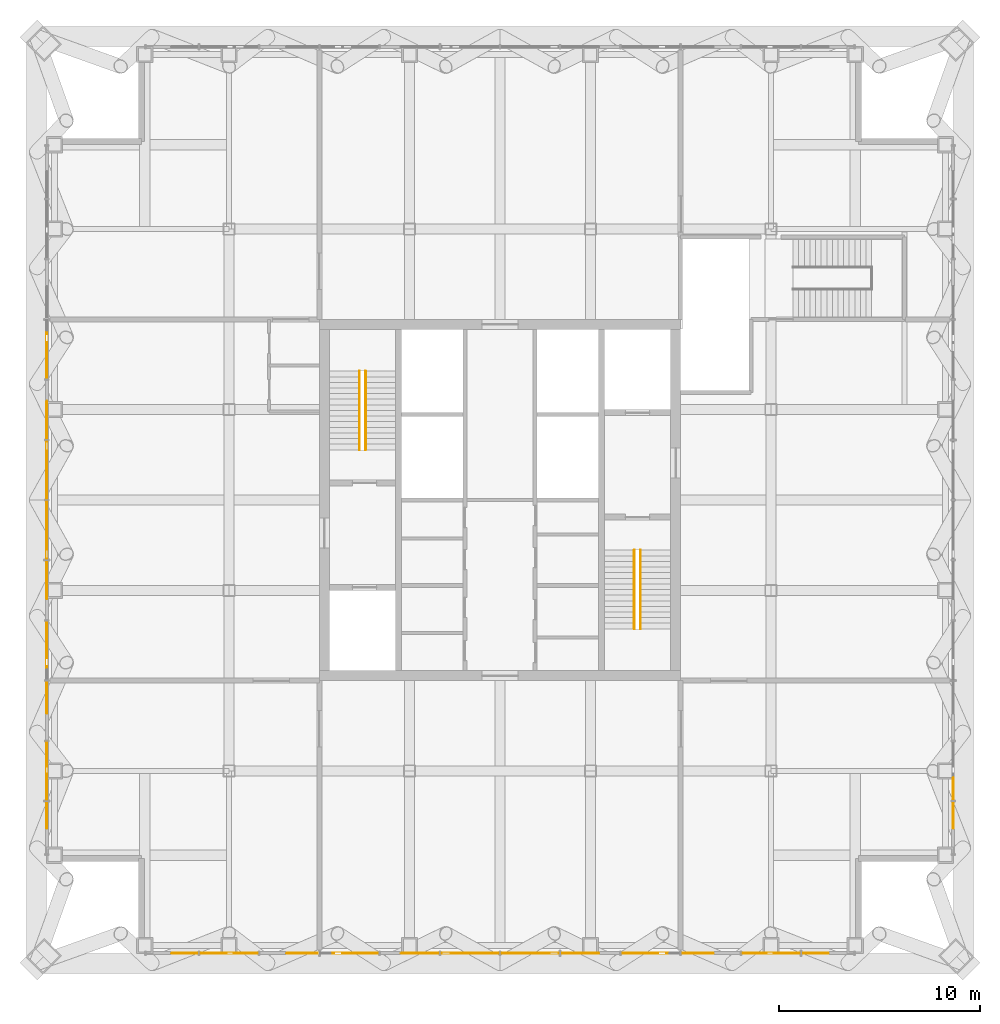
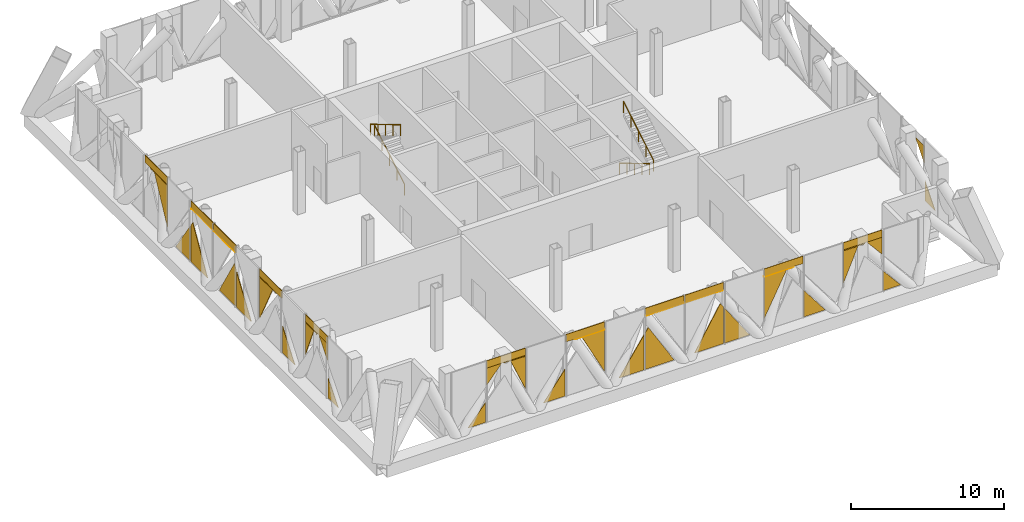
# One storey, part 17 of 27: 48 coverings, 4 railings.
"""IFC4 building model written with IfcOpenShell, lengths in metres."""

from ifc_helpers import new_model, si_unit, direction, frame, origin, origin_2d, place, context, subcontext, project, spatial, polyline, circle, outline, extrude, material, layer, layer_set, type_object, element, save


model = new_model("IFC4")

# Units and contexts
model_context = context("Model", 3, precision=1e-05, world=origin(), true_north=direction((0.0, 1.0)))
body_context = subcontext(model_context, "Body", "Model", "MODEL_VIEW")
ifc_project = project(units=[si_unit("LENGTHUNIT", "METRE"), si_unit("AREAUNIT", "SQUARE_METRE"), si_unit("VOLUMEUNIT", "CUBIC_METRE"), si_unit("PLANEANGLEUNIT", "RADIAN"), si_unit("MASSUNIT", "GRAM", prefix="KILO")], contexts=[model_context])

# Site, building, storey
site_placement = place(None, origin())
site = spatial("IfcSite", under=ifc_project, at=site_placement, CompositionType="ELEMENT")
building_placement = place(site_placement, origin())
building = spatial("IfcBuilding", under=site, at=building_placement, Name="Malebo Sky Hospital", CompositionType="ELEMENT")
storey_placement = place(building_placement, frame((0.0, 0.0, 245.0)))
storey = spatial("IfcBuildingStorey", under=building, at=storey_placement, Name="L59", CompositionType="ELEMENT", Elevation=245.0)

# Coverings
ifc_material_1 = material(Name="Anodised aluminium, natural silver insulated infill panel", Category="aluminium")
ifc_layer = layer(ifc_material_1, 0.0400390625)
ifc_layer_set = layer_set([ifc_layer], Name="BRACE INFILL PANEL 40")
covering_type = type_object("IfcCoveringType", Name="BRACE INFILL PANEL 40", PredefinedType="CLADDING", material=ifc_layer_set)
covering_1_placement = place(storey_placement, frame((37.425048828125, 46.29541015625, 0.10009765625), z_axis=(0.0, 0.0, 1.0), x_axis=(0.0, 1.0, 0.0)))
element("IfcCovering", 1, at=covering_1_placement, inside=storey, type_object=covering_type, Name="Brace infill panel 1.1", PredefinedType="CLADDING", context=body_context, shape_type="SweptSolid", body=[
    extrude(outline(polyline([(-0.6669921875, 0.0), (0.6669921875, 0.0), (0.6669921875, 1.5869140625), (-0.6669921875, 0.0)])), frame((0.0, 0.02001953125, 0.0), z_axis=(0.0, -1.0, 0.0), x_axis=(1.0, 0.0, 0.0)), (0.0, 0.0, 1.0), 0.0400390625),
])
covering_2_placement = place(storey_placement, frame((37.425048828125, 49.408447265625, 1.759033203125), z_axis=(0.0, 0.0, 1.0), x_axis=(0.0, 1.0, 0.0)))
element("IfcCovering", 2, at=covering_2_placement, inside=storey, type_object=covering_type, Name="Brace infill panel 2.1", PredefinedType="CLADDING", context=body_context, shape_type="SweptSolid", body=[
    extrude(outline(polyline([(0.553955078125, 0.0), (0.553955078125, 2.58544921875), (-0.553955078125, 2.58544921875), (0.553955078125, 0.0)])), frame((0.0, 0.02001953125, 0.0), z_axis=(0.0, -1.0, 0.0), x_axis=(1.0, 0.0, 0.0)), (0.0, 0.0, 1.0), 0.0400390625),
])
covering_3_placement = place(storey_placement, frame((37.425048828125, 47.613037109375, 3.04443359375), z_axis=(0.0, 0.0, 1.0), x_axis=(0.0, 1.0, 0.0)))
element("IfcCovering", 3, at=covering_3_placement, inside=storey, type_object=covering_type, Name="Brace infill panel 2.2", PredefinedType="CLADDING", context=body_context, shape_type="SweptSolid", body=[
    extrude(outline(polyline([(-0.57568359375, 0.0), (0.57568359375, 1.369384765625), (-0.57568359375, 1.369384765625), (-0.57568359375, 0.0)])), frame((0.0, 0.02001953125, 0.0), z_axis=(0.0, -1.0, 0.0), x_axis=(1.0, 0.0, 0.0)), (0.0, 0.0, 1.0), 0.0400390625),
])
covering_4_placement = place(storey_placement, frame((37.425048828125, 48.5, 4.41357421875), z_axis=(0.0, 0.0, 1.0), x_axis=(0.0, 1.0, 0.0)))
element("IfcCovering", 4, at=covering_4_placement, inside=storey, type_object=covering_type, Name="Brace infill panel 2.3", PredefinedType="CLADDING", context=body_context, shape_type="SweptSolid", body=[
    extrude(outline(polyline([(-1.46240234375, 0.0), (1.46240234375, 0.0), (1.46240234375, 0.576416015625), (-1.46240234375, 0.576416015625), (-1.46240234375, 0.0)])), frame((0.0, 0.02001953125, 0.0), z_axis=(0.0, -1.0, 0.0), x_axis=(1.0, 0.0, 0.0)), (0.0, 0.0, 1.0), 0.0400390625),
])
covering_5_placement = place(storey_placement, frame((37.425048828125, 49.138916015625, 4.3447265625), z_axis=(0.0, 0.0, 1.0), x_axis=(0.0, 1.0, 0.0)))
element("IfcCovering", 5, at=covering_5_placement, inside=storey, type_object=covering_type, Name="Brace infill panel 2.5", PredefinedType="CLADDING", context=body_context, shape_type="SweptSolid", body=[
    extrude(outline(polyline([(-0.714599609375, 0.0), (0.823486328125, 0.0), (0.823486328125, 0.069091796875), (-0.823486328125, 0.069091796875), (-0.714599609375, 0.0)])), frame((0.0, 0.02001953125, 0.0), z_axis=(0.0, -1.0, 0.0), x_axis=(1.0, 0.0, 0.0)), (0.0, 0.0, 1.0), 0.0400390625),
])
covering_6_placement = place(storey_placement, frame((37.425048828125, 52.152587890625, 0.10009765625), z_axis=(0.0, 0.0, 1.0), x_axis=(0.0, 1.0, 0.0)))
element("IfcCovering", 6, at=covering_6_placement, inside=storey, type_object=covering_type, Name="Brace infill panel 3.1", PredefinedType="CLADDING", context=body_context, shape_type="SweptSolid", body=[
    extrude(outline(polyline([(-0.809814453125, 0.0), (0.809814453125, 0.0), (0.809814453125, 2.135986328125), (-0.809814453125, 0.0)])), frame((0.0, 0.02001953125, 0.0), z_axis=(0.0, -1.0, 0.0), x_axis=(1.0, 0.0, 0.0)), (0.0, 0.0, 1.0), 0.0400390625),
])
covering_7_placement = place(storey_placement, frame((37.425048828125, 55.1064453125, 1.01025390625), z_axis=(0.0, 0.0, 1.0), x_axis=(0.0, 1.0, 0.0)))
element("IfcCovering", 7, at=covering_7_placement, inside=storey, type_object=covering_type, Name="Brace infill panel 4.1", PredefinedType="CLADDING", context=body_context, shape_type="SweptSolid", body=[
    extrude(outline(polyline([(0.85595703125, 0.0), (0.85595703125, 3.349853515625), (-0.85595703125, 3.349853515625), (0.85595703125, 0.0)])), frame((0.0, 0.02001953125, 0.0), z_axis=(0.0, -1.0, 0.0), x_axis=(1.0, 0.0, 0.0)), (0.0, 0.0, 1.0), 0.0400390625),
])
covering_8_placement = place(storey_placement, frame((37.425048828125, 54.5, 4.40185546875), z_axis=(0.0, 0.0, 1.0), x_axis=(0.0, 1.0, 0.0)))
element("IfcCovering", 8, at=covering_8_placement, inside=storey, type_object=covering_type, Name="Brace infill panel 4.3", PredefinedType="CLADDING", context=body_context, shape_type="SweptSolid", body=[
    extrude(outline(polyline([(-1.46240234375, 0.0), (1.46240234375, 0.0), (1.46240234375, 0.588134765625), (-1.46240234375, 0.588134765625), (-1.46240234375, 0.0)])), frame((0.0, 0.02001953125, 0.0), z_axis=(0.0, -1.0, 0.0), x_axis=(1.0, 0.0, 0.0)), (0.0, 0.0, 1.0), 0.0400390625),
])
covering_9_placement = place(storey_placement, frame((37.425048828125, 54.83837890625, 4.3603515625), z_axis=(0.0, 0.0, 1.0), x_axis=(0.0, 1.0, 0.0)))
element("IfcCovering", 9, at=covering_9_placement, inside=storey, type_object=covering_type, Name="Brace infill panel 4.5", PredefinedType="CLADDING", context=body_context, shape_type="SweptSolid", body=[
    extrude(outline(polyline([(-1.051513671875, 0.0), (1.124267578125, 0.0), (1.124267578125, 0.041748046875), (-1.1240234375, 0.041748046875), (-1.051513671875, 0.0)])), frame((0.0, 0.02001953125, 0.0), z_axis=(0.0, -1.0, 0.0), x_axis=(1.0, 0.0, 0.0)), (0.0, 0.0, 1.0), 0.0400390625),
])
covering_10_placement = place(storey_placement, frame((37.425048828125, 58.01025390625, 0.10009765625), z_axis=(0.0, 0.0, 1.0), x_axis=(0.0, 1.0, 0.0)))
element("IfcCovering", 10, at=covering_10_placement, inside=storey, type_object=covering_type, Name="Brace infill panel 5.1", PredefinedType="CLADDING", context=body_context, shape_type="SweptSolid", body=[
    extrude(outline(polyline([(-0.9521484375, 0.0), (0.9521484375, 0.0), (0.9521484375, 2.81787109375), (-0.9521484375, 0.0)])), frame((0.0, 0.02001953125, 0.0), z_axis=(0.0, -1.0, 0.0), x_axis=(1.0, 0.0, 0.0)), (0.0, 0.0, 1.0), 0.0400390625),
])
covering_11_placement = place(storey_placement, frame((37.425048828125, 60.132080078125, 0.10009765625), z_axis=(0.0, 0.0, 1.0), x_axis=(0.0, 1.0, 0.0)))
element("IfcCovering", 11, at=covering_11_placement, inside=storey, type_object=covering_type, Name="Brace infill panel 6.1", PredefinedType="CLADDING", context=body_context, shape_type="SweptSolid", body=[
    extrude(outline(polyline([(-1.094482421875, 0.0), (1.094482421875, 0.0), (-0.8544921875, 3.2841796875), (-1.094482421875, 2.928955078125), (-1.094482421875, 0.0)])), frame((0.0, 0.02001953125, 0.0), z_axis=(0.0, -1.0, 0.0), x_axis=(1.0, 0.0, 0.0)), (0.0, 0.0, 1.0), 0.0400390625),
])
covering_12_placement = place(storey_placement, frame((37.425048828125, 60.5, 4.38916015625), z_axis=(0.0, 0.0, 1.0), x_axis=(0.0, 1.0, 0.0)))
element("IfcCovering", 12, at=covering_12_placement, inside=storey, type_object=covering_type, Name="Brace infill panel 6.2", PredefinedType="CLADDING", context=body_context, shape_type="SweptSolid", body=[
    extrude(outline(polyline([(-1.46240234375, 0.0), (1.46240234375, 0.0), (1.46240234375, 0.600830078125), (-1.46240234375, 0.600830078125), (-1.46240234375, 0.0)])), frame((0.0, 0.02001953125, 0.0), z_axis=(0.0, -1.0, 0.0), x_axis=(1.0, 0.0, 0.0)), (0.0, 0.0, 1.0), 0.0400390625),
])
covering_13_placement = place(storey_placement, frame((37.425048828125, 60.5390625, 4.375), z_axis=(0.0, 0.0, 1.0), x_axis=(0.0, 1.0, 0.0)))
element("IfcCovering", 13, at=covering_13_placement, inside=storey, type_object=covering_type, Name="Brace infill panel 6.4", PredefinedType="CLADDING", context=body_context, shape_type="SweptSolid", body=[
    extrude(outline(polyline([(-1.396484375, 0.0), (1.423583984375, 0.0), (1.423583984375, 0.013916015625), (-1.423583984375, 0.013916015625), (-1.396484375, 0.0)])), frame((0.0, 0.02001953125, 0.0), z_axis=(0.0, -1.0, 0.0), x_axis=(1.0, 0.0, 0.0)), (0.0, 0.0, 1.0), 0.0400390625),
])
covering_14_placement = place(storey_placement, frame((37.425048828125, 63.867919921875, 0.10009765625), z_axis=(0.0, 0.0, 1.0), x_axis=(0.0, 1.0, 0.0)))
element("IfcCovering", 14, at=covering_14_placement, inside=storey, type_object=covering_type, Name="Brace infill panel 7.1", PredefinedType="CLADDING", context=body_context, shape_type="SweptSolid", body=[
    extrude(outline(polyline([(-1.094482421875, 0.0), (1.094482421875, 0.0), (1.094482421875, 2.928955078125), (0.8544921875, 3.2841796875), (-1.094482421875, 0.0)])), frame((0.0, 0.02001953125, 0.0), z_axis=(0.0, -1.0, 0.0), x_axis=(1.0, 0.0, 0.0)), (0.0, 0.0, 1.0), 0.0400390625),
])
covering_15_placement = place(storey_placement, frame((37.425048828125, 63.5, 4.38916015625), z_axis=(0.0, 0.0, 1.0), x_axis=(0.0, 1.0, 0.0)))
element("IfcCovering", 15, at=covering_15_placement, inside=storey, type_object=covering_type, Name="Brace infill panel 7.2", PredefinedType="CLADDING", context=body_context, shape_type="SweptSolid", body=[
    extrude(outline(polyline([(-1.46240234375, 0.0), (1.46240234375, 0.0), (1.46240234375, 0.600830078125), (-1.46240234375, 0.600830078125), (-1.46240234375, 0.0)])), frame((0.0, 0.02001953125, 0.0), z_axis=(0.0, -1.0, 0.0), x_axis=(1.0, 0.0, 0.0)), (0.0, 0.0, 1.0), 0.0400390625),
])
covering_16_placement = place(storey_placement, frame((37.425048828125, 63.4609375, 4.375), z_axis=(0.0, 0.0, 1.0), x_axis=(0.0, 1.0, 0.0)))
element("IfcCovering", 16, at=covering_16_placement, inside=storey, type_object=covering_type, Name="Brace infill panel 7.4", PredefinedType="CLADDING", context=body_context, shape_type="SweptSolid", body=[
    extrude(outline(polyline([(-1.423583984375, 0.0), (1.396484375, 0.0), (1.423583984375, 0.013916015625), (-1.423583984375, 0.013916015625), (-1.423583984375, 0.0)])), frame((0.0, 0.02001953125, 0.0), z_axis=(0.0, -1.0, 0.0), x_axis=(1.0, 0.0, 0.0)), (0.0, 0.0, 1.0), 0.0400390625),
])
covering_17_placement = place(storey_placement, frame((37.425048828125, 65.98974609375, 0.10009765625), z_axis=(0.0, 0.0, 1.0), x_axis=(0.0, 1.0, 0.0)))
element("IfcCovering", 17, at=covering_17_placement, inside=storey, type_object=covering_type, Name="Brace infill panel 8.1", PredefinedType="CLADDING", context=body_context, shape_type="SweptSolid", body=[
    extrude(outline(polyline([(-0.9521484375, 0.0), (0.9521484375, 0.0), (-0.9521484375, 2.81787109375), (-0.9521484375, 0.0)])), frame((0.0, 0.02001953125, 0.0), z_axis=(0.0, -1.0, 0.0), x_axis=(1.0, 0.0, 0.0)), (0.0, 0.0, 1.0), 0.0400390625),
])
covering_18_placement = place(storey_placement, frame((37.425048828125, 68.8935546875, 1.01025390625), z_axis=(0.0, 0.0, 1.0), x_axis=(0.0, 1.0, 0.0)))
element("IfcCovering", 18, at=covering_18_placement, inside=storey, type_object=covering_type, Name="Brace infill panel 9.1", PredefinedType="CLADDING", context=body_context, shape_type="SweptSolid", body=[
    extrude(outline(polyline([(-0.85595703125, 0.0), (0.85595703125, 3.349853515625), (-0.85595703125, 3.349853515625), (-0.85595703125, 0.0)])), frame((0.0, 0.02001953125, 0.0), z_axis=(0.0, -1.0, 0.0), x_axis=(1.0, 0.0, 0.0)), (0.0, 0.0, 1.0), 0.0400390625),
])
covering_19_placement = place(storey_placement, frame((37.425048828125, 69.5, 4.40185546875), z_axis=(0.0, 0.0, 1.0), x_axis=(0.0, 1.0, 0.0)))
element("IfcCovering", 19, at=covering_19_placement, inside=storey, type_object=covering_type, Name="Brace infill panel 9.3", PredefinedType="CLADDING", context=body_context, shape_type="SweptSolid", body=[
    extrude(outline(polyline([(-1.46240234375, 0.0), (1.46240234375, 0.0), (1.46240234375, 0.588134765625), (-1.46240234375, 0.588134765625), (-1.46240234375, 0.0)])), frame((0.0, 0.02001953125, 0.0), z_axis=(0.0, -1.0, 0.0), x_axis=(1.0, 0.0, 0.0)), (0.0, 0.0, 1.0), 0.0400390625),
])
covering_20_placement = place(storey_placement, frame((37.425048828125, 69.16162109375, 4.3603515625), z_axis=(0.0, 0.0, 1.0), x_axis=(0.0, 1.0, 0.0)))
element("IfcCovering", 20, at=covering_20_placement, inside=storey, type_object=covering_type, Name="Brace infill panel 9.5", PredefinedType="CLADDING", context=body_context, shape_type="SweptSolid", body=[
    extrude(outline(polyline([(-1.124267578125, 0.0), (1.051513671875, 0.0), (1.1240234375, 0.041748046875), (-1.124267578125, 0.041748046875), (-1.124267578125, 0.0)])), frame((0.0, 0.02001953125, 0.0), z_axis=(0.0, -1.0, 0.0), x_axis=(1.0, 0.0, 0.0)), (0.0, 0.0, 1.0), 0.0400390625),
])
covering_21_placement = place(storey_placement, frame((75.70458984375, 39.425048828125, 0.10009765625), z_axis=(0.0, 0.0, 1.0), x_axis=(-1.0, 0.0, 0.0)))
element("IfcCovering", 21, at=covering_21_placement, inside=storey, type_object=covering_type, Name="Brace infill panel 1.1", PredefinedType="CLADDING", context=body_context, shape_type="SweptSolid", body=[
    extrude(outline(polyline([(-0.6669921875, 0.0), (0.6669921875, 0.0), (0.6669921875, 1.5869140625), (-0.6669921875, 0.0)])), frame((0.0, 0.02001953125, 0.0), z_axis=(0.0, -1.0, 0.0), x_axis=(1.0, 0.0, 0.0)), (0.0, 0.0, 1.0), 0.0400390625),
])
covering_22_placement = place(storey_placement, frame((72.591552734375, 39.425048828125, 1.759033203125), z_axis=(0.0, 0.0, 1.0), x_axis=(-1.0, 0.0, 0.0)))
element("IfcCovering", 22, at=covering_22_placement, inside=storey, type_object=covering_type, Name="Brace infill panel 2.1", PredefinedType="CLADDING", context=body_context, shape_type="SweptSolid", body=[
    extrude(outline(polyline([(0.553955078125, 0.0), (0.553955078125, 2.58544921875), (-0.553955078125, 2.58544921875), (0.553955078125, 0.0)])), frame((0.0, 0.02001953125, 0.0), z_axis=(0.0, -1.0, 0.0), x_axis=(1.0, 0.0, 0.0)), (0.0, 0.0, 1.0), 0.0400390625),
])
covering_23_placement = place(storey_placement, frame((74.386962890625, 39.425048828125, 3.04443359375), z_axis=(0.0, 0.0, 1.0), x_axis=(-1.0, 0.0, 0.0)))
element("IfcCovering", 23, at=covering_23_placement, inside=storey, type_object=covering_type, Name="Brace infill panel 2.2", PredefinedType="CLADDING", context=body_context, shape_type="SweptSolid", body=[
    extrude(outline(polyline([(-0.57568359375, 0.0), (0.57568359375, 1.369384765625), (-0.57568359375, 1.369384765625), (-0.57568359375, 0.0)])), frame((0.0, 0.02001953125, 0.0), z_axis=(0.0, -1.0, 0.0), x_axis=(1.0, 0.0, 0.0)), (0.0, 0.0, 1.0), 0.0400390625),
])
covering_24_placement = place(storey_placement, frame((73.5, 39.425048828125, 4.41357421875), z_axis=(0.0, 0.0, 1.0), x_axis=(-1.0, 0.0, 0.0)))
element("IfcCovering", 24, at=covering_24_placement, inside=storey, type_object=covering_type, Name="Brace infill panel 2.3", PredefinedType="CLADDING", context=body_context, shape_type="SweptSolid", body=[
    extrude(outline(polyline([(-1.46240234375, 0.0), (1.46240234375, 0.0), (1.46240234375, 0.576416015625), (-1.46240234375, 0.576416015625), (-1.46240234375, 0.0)])), frame((0.0, 0.02001953125, 0.0), z_axis=(0.0, -1.0, 0.0), x_axis=(1.0, 0.0, 0.0)), (0.0, 0.0, 1.0), 0.0400390625),
])
covering_25_placement = place(storey_placement, frame((72.861083984375, 39.425048828125, 4.3447265625), z_axis=(0.0, 0.0, 1.0), x_axis=(-1.0, 0.0, 0.0)))
element("IfcCovering", 25, at=covering_25_placement, inside=storey, type_object=covering_type, Name="Brace infill panel 2.5", PredefinedType="CLADDING", context=body_context, shape_type="SweptSolid", body=[
    extrude(outline(polyline([(-0.714599609375, 0.0), (0.823486328125, 0.0), (0.823486328125, 0.069091796875), (-0.823486328125, 0.069091796875), (-0.714599609375, 0.0)])), frame((0.0, 0.02001953125, 0.0), z_axis=(0.0, -1.0, 0.0), x_axis=(1.0, 0.0, 0.0)), (0.0, 0.0, 1.0), 0.0400390625),
])
covering_26_placement = place(storey_placement, frame((69.847412109375, 39.425048828125, 0.10009765625), z_axis=(0.0, 0.0, 1.0), x_axis=(-1.0, 0.0, 0.0)))
element("IfcCovering", 26, at=covering_26_placement, inside=storey, type_object=covering_type, Name="Brace infill panel 3.1", PredefinedType="CLADDING", context=body_context, shape_type="SweptSolid", body=[
    extrude(outline(polyline([(-0.809814453125, 0.0), (0.809814453125, 0.0), (0.809814453125, 2.135986328125), (-0.809814453125, 0.0)])), frame((0.0, 0.02001953125, 0.0), z_axis=(0.0, -1.0, 0.0), x_axis=(1.0, 0.0, 0.0)), (0.0, 0.0, 1.0), 0.0400390625),
])
covering_27_placement = place(storey_placement, frame((66.8935546875, 39.425048828125, 1.01025390625), z_axis=(0.0, 0.0, 1.0), x_axis=(-1.0, 0.0, 0.0)))
element("IfcCovering", 27, at=covering_27_placement, inside=storey, type_object=covering_type, Name="Brace infill panel 4.1", PredefinedType="CLADDING", context=body_context, shape_type="SweptSolid", body=[
    extrude(outline(polyline([(0.85595703125, 0.0), (0.85595703125, 3.349853515625), (-0.85595703125, 3.349853515625), (0.85595703125, 0.0)])), frame((0.0, 0.02001953125, 0.0), z_axis=(0.0, -1.0, 0.0), x_axis=(1.0, 0.0, 0.0)), (0.0, 0.0, 1.0), 0.0400390625),
])
covering_28_placement = place(storey_placement, frame((67.5, 39.425048828125, 4.40185546875), z_axis=(0.0, 0.0, 1.0), x_axis=(-1.0, 0.0, 0.0)))
element("IfcCovering", 28, at=covering_28_placement, inside=storey, type_object=covering_type, Name="Brace infill panel 4.3", PredefinedType="CLADDING", context=body_context, shape_type="SweptSolid", body=[
    extrude(outline(polyline([(-1.46240234375, 0.0), (1.46240234375, 0.0), (1.46240234375, 0.588134765625), (-1.46240234375, 0.588134765625), (-1.46240234375, 0.0)])), frame((0.0, 0.02001953125, 0.0), z_axis=(0.0, -1.0, 0.0), x_axis=(1.0, 0.0, 0.0)), (0.0, 0.0, 1.0), 0.0400390625),
])
covering_29_placement = place(storey_placement, frame((67.16162109375, 39.425048828125, 4.3603515625), z_axis=(0.0, 0.0, 1.0), x_axis=(-1.0, 0.0, 0.0)))
element("IfcCovering", 29, at=covering_29_placement, inside=storey, type_object=covering_type, Name="Brace infill panel 4.5", PredefinedType="CLADDING", context=body_context, shape_type="SweptSolid", body=[
    extrude(outline(polyline([(-1.051513671875, 0.0), (1.124267578125, 0.0), (1.124267578125, 0.041748046875), (-1.1240234375, 0.041748046875), (-1.051513671875, 0.0)])), frame((0.0, 0.02001953125, 0.0), z_axis=(0.0, -1.0, 0.0), x_axis=(1.0, 0.0, 0.0)), (0.0, 0.0, 1.0), 0.0400390625),
])
covering_30_placement = place(storey_placement, frame((63.98974609375, 39.425048828125, 0.10009765625), z_axis=(0.0, 0.0, 1.0), x_axis=(-1.0, 0.0, 0.0)))
element("IfcCovering", 30, at=covering_30_placement, inside=storey, type_object=covering_type, Name="Brace infill panel 5.1", PredefinedType="CLADDING", context=body_context, shape_type="SweptSolid", body=[
    extrude(outline(polyline([(-0.9521484375, 0.0), (0.9521484375, 0.0), (0.9521484375, 2.81787109375), (-0.9521484375, 0.0)])), frame((0.0, 0.02001953125, 0.0), z_axis=(0.0, -1.0, 0.0), x_axis=(1.0, 0.0, 0.0)), (0.0, 0.0, 1.0), 0.0400390625),
])
covering_31_placement = place(storey_placement, frame((61.867919921875, 39.425048828125, 0.10009765625), z_axis=(0.0, 0.0, 1.0), x_axis=(-1.0, 0.0, 0.0)))
element("IfcCovering", 31, at=covering_31_placement, inside=storey, type_object=covering_type, Name="Brace infill panel 6.1", PredefinedType="CLADDING", context=body_context, shape_type="SweptSolid", body=[
    extrude(outline(polyline([(-1.094482421875, 0.0), (1.094482421875, 0.0), (-0.8544921875, 3.2841796875), (-1.094482421875, 2.928955078125), (-1.094482421875, 0.0)])), frame((0.0, 0.02001953125, 0.0), z_axis=(0.0, -1.0, 0.0), x_axis=(1.0, 0.0, 0.0)), (0.0, 0.0, 1.0), 0.0400390625),
])
covering_32_placement = place(storey_placement, frame((61.5, 39.425048828125, 4.38916015625), z_axis=(0.0, 0.0, 1.0), x_axis=(-1.0, 0.0, 0.0)))
element("IfcCovering", 32, at=covering_32_placement, inside=storey, type_object=covering_type, Name="Brace infill panel 6.2", PredefinedType="CLADDING", context=body_context, shape_type="SweptSolid", body=[
    extrude(outline(polyline([(-1.46240234375, 0.0), (1.46240234375, 0.0), (1.46240234375, 0.600830078125), (-1.46240234375, 0.600830078125), (-1.46240234375, 0.0)])), frame((0.0, 0.02001953125, 0.0), z_axis=(0.0, -1.0, 0.0), x_axis=(1.0, 0.0, 0.0)), (0.0, 0.0, 1.0), 0.0400390625),
])
covering_33_placement = place(storey_placement, frame((61.4609375, 39.425048828125, 4.375), z_axis=(0.0, 0.0, 1.0), x_axis=(-1.0, 0.0, 0.0)))
element("IfcCovering", 33, at=covering_33_placement, inside=storey, type_object=covering_type, Name="Brace infill panel 6.4", PredefinedType="CLADDING", context=body_context, shape_type="SweptSolid", body=[
    extrude(outline(polyline([(-1.396484375, 0.0), (1.423583984375, 0.0), (1.423583984375, 0.013916015625), (-1.423583984375, 0.013916015625), (-1.396484375, 0.0)])), frame((0.0, 0.02001953125, 0.0), z_axis=(0.0, -1.0, 0.0), x_axis=(1.0, 0.0, 0.0)), (0.0, 0.0, 1.0), 0.0400390625),
])
covering_34_placement = place(storey_placement, frame((58.132080078125, 39.425048828125, 0.10009765625), z_axis=(0.0, 0.0, 1.0), x_axis=(-1.0, 0.0, 0.0)))
element("IfcCovering", 34, at=covering_34_placement, inside=storey, type_object=covering_type, Name="Brace infill panel 7.1", PredefinedType="CLADDING", context=body_context, shape_type="SweptSolid", body=[
    extrude(outline(polyline([(-1.094482421875, 0.0), (1.094482421875, 0.0), (1.094482421875, 2.928955078125), (0.8544921875, 3.2841796875), (-1.094482421875, 0.0)])), frame((0.0, 0.02001953125, 0.0), z_axis=(0.0, -1.0, 0.0), x_axis=(1.0, 0.0, 0.0)), (0.0, 0.0, 1.0), 0.0400390625),
])
covering_35_placement = place(storey_placement, frame((58.5, 39.425048828125, 4.38916015625), z_axis=(0.0, 0.0, 1.0), x_axis=(-1.0, 0.0, 0.0)))
element("IfcCovering", 35, at=covering_35_placement, inside=storey, type_object=covering_type, Name="Brace infill panel 7.2", PredefinedType="CLADDING", context=body_context, shape_type="SweptSolid", body=[
    extrude(outline(polyline([(-1.46240234375, 0.0), (1.46240234375, 0.0), (1.46240234375, 0.600830078125), (-1.46240234375, 0.600830078125), (-1.46240234375, 0.0)])), frame((0.0, 0.02001953125, 0.0), z_axis=(0.0, -1.0, 0.0), x_axis=(1.0, 0.0, 0.0)), (0.0, 0.0, 1.0), 0.0400390625),
])
covering_36_placement = place(storey_placement, frame((58.5390625, 39.425048828125, 4.375), z_axis=(0.0, 0.0, 1.0), x_axis=(-1.0, 0.0, 0.0)))
element("IfcCovering", 36, at=covering_36_placement, inside=storey, type_object=covering_type, Name="Brace infill panel 7.4", PredefinedType="CLADDING", context=body_context, shape_type="SweptSolid", body=[
    extrude(outline(polyline([(-1.423583984375, 0.0), (1.396484375, 0.0), (1.423583984375, 0.013916015625), (-1.423583984375, 0.013916015625), (-1.423583984375, 0.0)])), frame((0.0, 0.02001953125, 0.0), z_axis=(0.0, -1.0, 0.0), x_axis=(1.0, 0.0, 0.0)), (0.0, 0.0, 1.0), 0.0400390625),
])
covering_37_placement = place(storey_placement, frame((56.01025390625, 39.425048828125, 0.10009765625), z_axis=(0.0, 0.0, 1.0), x_axis=(-1.0, 0.0, 0.0)))
element("IfcCovering", 37, at=covering_37_placement, inside=storey, type_object=covering_type, Name="Brace infill panel 8.1", PredefinedType="CLADDING", context=body_context, shape_type="SweptSolid", body=[
    extrude(outline(polyline([(-0.9521484375, 0.0), (0.9521484375, 0.0), (-0.9521484375, 2.81787109375), (-0.9521484375, 0.0)])), frame((0.0, 0.02001953125, 0.0), z_axis=(0.0, -1.0, 0.0), x_axis=(1.0, 0.0, 0.0)), (0.0, 0.0, 1.0), 0.0400390625),
])
covering_38_placement = place(storey_placement, frame((53.1064453125, 39.425048828125, 1.01025390625), z_axis=(0.0, 0.0, 1.0), x_axis=(-1.0, 0.0, 0.0)))
element("IfcCovering", 38, at=covering_38_placement, inside=storey, type_object=covering_type, Name="Brace infill panel 9.1", PredefinedType="CLADDING", context=body_context, shape_type="SweptSolid", body=[
    extrude(outline(polyline([(-0.85595703125, 0.0), (0.85595703125, 3.349853515625), (-0.85595703125, 3.349853515625), (-0.85595703125, 0.0)])), frame((0.0, 0.02001953125, 0.0), z_axis=(0.0, -1.0, 0.0), x_axis=(1.0, 0.0, 0.0)), (0.0, 0.0, 1.0), 0.0400390625),
])
covering_39_placement = place(storey_placement, frame((52.5, 39.425048828125, 4.40185546875), z_axis=(0.0, 0.0, 1.0), x_axis=(-1.0, 0.0, 0.0)))
element("IfcCovering", 39, at=covering_39_placement, inside=storey, type_object=covering_type, Name="Brace infill panel 9.3", PredefinedType="CLADDING", context=body_context, shape_type="SweptSolid", body=[
    extrude(outline(polyline([(-1.46240234375, 0.0), (1.46240234375, 0.0), (1.46240234375, 0.588134765625), (-1.46240234375, 0.588134765625), (-1.46240234375, 0.0)])), frame((0.0, 0.02001953125, 0.0), z_axis=(0.0, -1.0, 0.0), x_axis=(1.0, 0.0, 0.0)), (0.0, 0.0, 1.0), 0.0400390625),
])
covering_40_placement = place(storey_placement, frame((52.83837890625, 39.425048828125, 4.3603515625), z_axis=(0.0, 0.0, 1.0), x_axis=(-1.0, 0.0, 0.0)))
element("IfcCovering", 40, at=covering_40_placement, inside=storey, type_object=covering_type, Name="Brace infill panel 9.5", PredefinedType="CLADDING", context=body_context, shape_type="SweptSolid", body=[
    extrude(outline(polyline([(-1.124267578125, 0.0), (1.051513671875, 0.0), (1.1240234375, 0.041748046875), (-1.124267578125, 0.041748046875), (-1.124267578125, 0.0)])), frame((0.0, 0.02001953125, 0.0), z_axis=(0.0, -1.0, 0.0), x_axis=(1.0, 0.0, 0.0)), (0.0, 0.0, 1.0), 0.0400390625),
])
covering_41_placement = place(storey_placement, frame((50.152587890625, 39.425048828125, 0.10009765625), z_axis=(0.0, 0.0, 1.0), x_axis=(-1.0, 0.0, 0.0)))
element("IfcCovering", 41, at=covering_41_placement, inside=storey, type_object=covering_type, Name="Brace infill panel 10.1", PredefinedType="CLADDING", context=body_context, shape_type="SweptSolid", body=[
    extrude(outline(polyline([(-0.809814453125, 0.0), (0.809814453125, 0.0), (-0.809814453125, 2.135986328125), (-0.809814453125, 0.0)])), frame((0.0, 0.02001953125, 0.0), z_axis=(0.0, -1.0, 0.0), x_axis=(1.0, 0.0, 0.0)), (0.0, 0.0, 1.0), 0.0400390625),
])
covering_42_placement = place(storey_placement, frame((47.408447265625, 39.425048828125, 1.759033203125), z_axis=(0.0, 0.0, 1.0), x_axis=(-1.0, 0.0, 0.0)))
element("IfcCovering", 42, at=covering_42_placement, inside=storey, type_object=covering_type, Name="Brace infill panel 11.1", PredefinedType="CLADDING", context=body_context, shape_type="SweptSolid", body=[
    extrude(outline(polyline([(-0.553955078125, 0.0), (0.553955078125, 2.58544921875), (-0.553955078125, 2.58544921875), (-0.553955078125, 0.0)])), frame((0.0, 0.02001953125, 0.0), z_axis=(0.0, -1.0, 0.0), x_axis=(1.0, 0.0, 0.0)), (0.0, 0.0, 1.0), 0.0400390625),
])
covering_43_placement = place(storey_placement, frame((45.613037109375, 39.425048828125, 3.04443359375), z_axis=(0.0, 0.0, 1.0), x_axis=(-1.0, 0.0, 0.0)))
element("IfcCovering", 43, at=covering_43_placement, inside=storey, type_object=covering_type, Name="Brace infill panel 11.2", PredefinedType="CLADDING", context=body_context, shape_type="SweptSolid", body=[
    extrude(outline(polyline([(0.57568359375, 0.0), (0.57568359375, 1.369384765625), (-0.57568359375, 1.369384765625), (0.57568359375, 0.0)])), frame((0.0, 0.02001953125, 0.0), z_axis=(0.0, -1.0, 0.0), x_axis=(1.0, 0.0, 0.0)), (0.0, 0.0, 1.0), 0.0400390625),
])
covering_44_placement = place(storey_placement, frame((46.5, 39.425048828125, 4.41357421875), z_axis=(0.0, 0.0, 1.0), x_axis=(-1.0, 0.0, 0.0)))
element("IfcCovering", 44, at=covering_44_placement, inside=storey, type_object=covering_type, Name="Brace infill panel 11.3", PredefinedType="CLADDING", context=body_context, shape_type="SweptSolid", body=[
    extrude(outline(polyline([(-1.46240234375, 0.0), (1.46240234375, 0.0), (1.46240234375, 0.576416015625), (-1.46240234375, 0.576416015625), (-1.46240234375, 0.0)])), frame((0.0, 0.02001953125, 0.0), z_axis=(0.0, -1.0, 0.0), x_axis=(1.0, 0.0, 0.0)), (0.0, 0.0, 1.0), 0.0400390625),
])
covering_45_placement = place(storey_placement, frame((47.138916015625, 39.425048828125, 4.3447265625), z_axis=(0.0, 0.0, 1.0), x_axis=(-1.0, 0.0, 0.0)))
element("IfcCovering", 45, at=covering_45_placement, inside=storey, type_object=covering_type, Name="Brace infill panel 11.5", PredefinedType="CLADDING", context=body_context, shape_type="SweptSolid", body=[
    extrude(outline(polyline([(-0.823486328125, 0.0), (0.714599609375, 0.0), (0.823486328125, 0.069091796875), (-0.823486328125, 0.069091796875), (-0.823486328125, 0.0)])), frame((0.0, 0.02001953125, 0.0), z_axis=(0.0, -1.0, 0.0), x_axis=(1.0, 0.0, 0.0)), (0.0, 0.0, 1.0), 0.0400390625),
])
covering_46_placement = place(storey_placement, frame((44.29541015625, 39.425048828125, 0.10009765625), z_axis=(0.0, 0.0, 1.0), x_axis=(-1.0, 0.0, 0.0)))
element("IfcCovering", 46, at=covering_46_placement, inside=storey, type_object=covering_type, Name="Brace infill panel 12.1", PredefinedType="CLADDING", context=body_context, shape_type="SweptSolid", body=[
    extrude(outline(polyline([(-0.6669921875, 0.0), (0.6669921875, 0.0), (-0.6669921875, 1.5869140625), (-0.6669921875, 0.0)])), frame((0.0, 0.02001953125, 0.0), z_axis=(0.0, -1.0, 0.0), x_axis=(1.0, 0.0, 0.0)), (0.0, 0.0, 1.0), 0.0400390625),
])
covering_47_placement = place(storey_placement, frame((82.574951171875, 47.613037109375, 3.04443359375), z_axis=(0.0, 0.0, 1.0), x_axis=(0.0, -1.0, 0.0)))
element("IfcCovering", 47, at=covering_47_placement, inside=storey, type_object=covering_type, Name="Brace infill panel 11.2", PredefinedType="CLADDING", context=body_context, shape_type="SweptSolid", body=[
    extrude(outline(polyline([(0.57568359375, 0.0), (0.57568359375, 1.369384765625), (-0.57568359375, 1.369384765625), (0.57568359375, 0.0)])), frame((0.0, 0.02001953125, 0.0), z_axis=(0.0, -1.0, 0.0), x_axis=(1.0, 0.0, 0.0)), (0.0, 0.0, 1.0), 0.0400390625),
])
covering_48_placement = place(storey_placement, frame((82.574951171875, 46.29541015625, 0.10009765625), z_axis=(0.0, 0.0, 1.0), x_axis=(0.0, -1.0, 0.0)))
element("IfcCovering", 48, at=covering_48_placement, inside=storey, type_object=covering_type, Name="Brace infill panel 12.1", PredefinedType="CLADDING", context=body_context, shape_type="SweptSolid", body=[
    extrude(outline(polyline([(-0.6669921875, 0.0), (0.6669921875, 0.0), (-0.6669921875, 1.5869140625), (-0.6669921875, 0.0)])), frame((0.0, 0.02001953125, 0.0), z_axis=(0.0, -1.0, 0.0), x_axis=(1.0, 0.0, 0.0)), (0.0, 0.0, 1.0), 0.0400390625),
])

# Railings
ifc_material_2 = material(Name="Stainless steel tube", Category="steel")
railing_type = type_object("IfcRailingType", Name="STAIR HANDRAIL 900", PredefinedType="HANDRAIL", material=ifc_material_2)
railing_1_placement = place(storey_placement, frame((53.300048828125, 64.5, 0.166748046875)))
element("IfcRailing", 49, at=railing_1_placement, inside=storey, type_object=railing_type, Name="Stair handrail S1 flight 1", PredefinedType="HANDRAIL", context=body_context, shape_type="SweptSolid", body=[
    extrude(circle(Radius=0.02392578125, at=origin_2d()), frame((0.0, 0.0, 0.8759765625), z_axis=(0.0, 0.859296244711, 0.511478214419), x_axis=(-1.0, 0.0, 0.0)), (0.0, 0.0, 1.0), 4.561767578125),
    extrude(circle(Radius=0.02099609375, at=origin_2d()), origin(), (0.0, 0.0, 1.0), 0.851806640625),
    extrude(circle(Radius=0.02099609375, at=origin_2d()), frame((0.0, 0.97998046875, 0.583251953125)), (0.0, 0.0, 1.0), 0.851806640625),
    extrude(circle(Radius=0.02099609375, at=origin_2d()), frame((0.0, 1.9599609375, 1.16650390625)), (0.0, 0.0, 1.0), 0.851806640625),
    extrude(circle(Radius=0.02099609375, at=origin_2d()), frame((0.0, 2.93994140625, 1.75)), (0.0, 0.0, 1.0), 0.851806640625),
    extrude(circle(Radius=0.02099609375, at=origin_2d()), frame((0.0, 3.919921875, 2.333251953125)), (0.0, 0.0, 1.0), 0.851806640625),
])
for number, where, name in (
    (50, (53.0, 68.419921875, 2.666748046875), "Stair handrail S1 flight 2"),
    (51, (66.699951171875, 59.5, 0.166748046875), "Stair handrail S2 flight 1"),
):
    element("IfcRailing", number, at=place(storey_placement, frame(where)), inside=storey, type_object=railing_type, Name=name, PredefinedType="HANDRAIL", context=body_context, shape_type="SweptSolid", body=[
        extrude(circle(Radius=0.02392578125, at=origin_2d()), frame((0.0, 0.0, 0.8759765625), z_axis=(0.0, -0.859296244711, 0.511478214419), x_axis=(1.0, 0.0, 0.0)), (0.0, 0.0, 1.0), 4.561767578125),
        extrude(circle(Radius=0.02099609375, at=origin_2d()), origin(), (0.0, 0.0, 1.0), 0.851806640625),
        extrude(circle(Radius=0.02099609375, at=origin_2d()), frame((0.0, -0.97998046875, 0.583251953125)), (0.0, 0.0, 1.0), 0.851806640625),
        extrude(circle(Radius=0.02099609375, at=origin_2d()), frame((0.0, -1.9599609375, 1.16650390625)), (0.0, 0.0, 1.0), 0.851806640625),
        extrude(circle(Radius=0.02099609375, at=origin_2d()), frame((0.0, -2.93994140625, 1.75)), (0.0, 0.0, 1.0), 0.851806640625),
        extrude(circle(Radius=0.02099609375, at=origin_2d()), frame((0.0, -3.919921875, 2.333251953125)), (0.0, 0.0, 1.0), 0.851806640625),
    ])
railing_2_placement = place(storey_placement, frame((67.0, 55.580078125, 2.666748046875)))
element("IfcRailing", 52, at=railing_2_placement, inside=storey, type_object=railing_type, Name="Stair handrail S2 flight 2", PredefinedType="HANDRAIL", context=body_context, shape_type="SweptSolid", body=[
    extrude(circle(Radius=0.02392578125, at=origin_2d()), frame((0.0, 0.0, 0.8759765625), z_axis=(0.0, 0.859296244711, 0.511478214419), x_axis=(-1.0, 0.0, 0.0)), (0.0, 0.0, 1.0), 4.561767578125),
    extrude(circle(Radius=0.02099609375, at=origin_2d()), origin(), (0.0, 0.0, 1.0), 0.851806640625),
    extrude(circle(Radius=0.02099609375, at=origin_2d()), frame((0.0, 0.97998046875, 0.583251953125)), (0.0, 0.0, 1.0), 0.851806640625),
    extrude(circle(Radius=0.02099609375, at=origin_2d()), frame((0.0, 1.9599609375, 1.16650390625)), (0.0, 0.0, 1.0), 0.851806640625),
    extrude(circle(Radius=0.02099609375, at=origin_2d()), frame((0.0, 2.93994140625, 1.75)), (0.0, 0.0, 1.0), 0.851806640625),
    extrude(circle(Radius=0.02099609375, at=origin_2d()), frame((0.0, 3.919921875, 2.333251953125)), (0.0, 0.0, 1.0), 0.851806640625),
])

save(model, "model.ifc")
